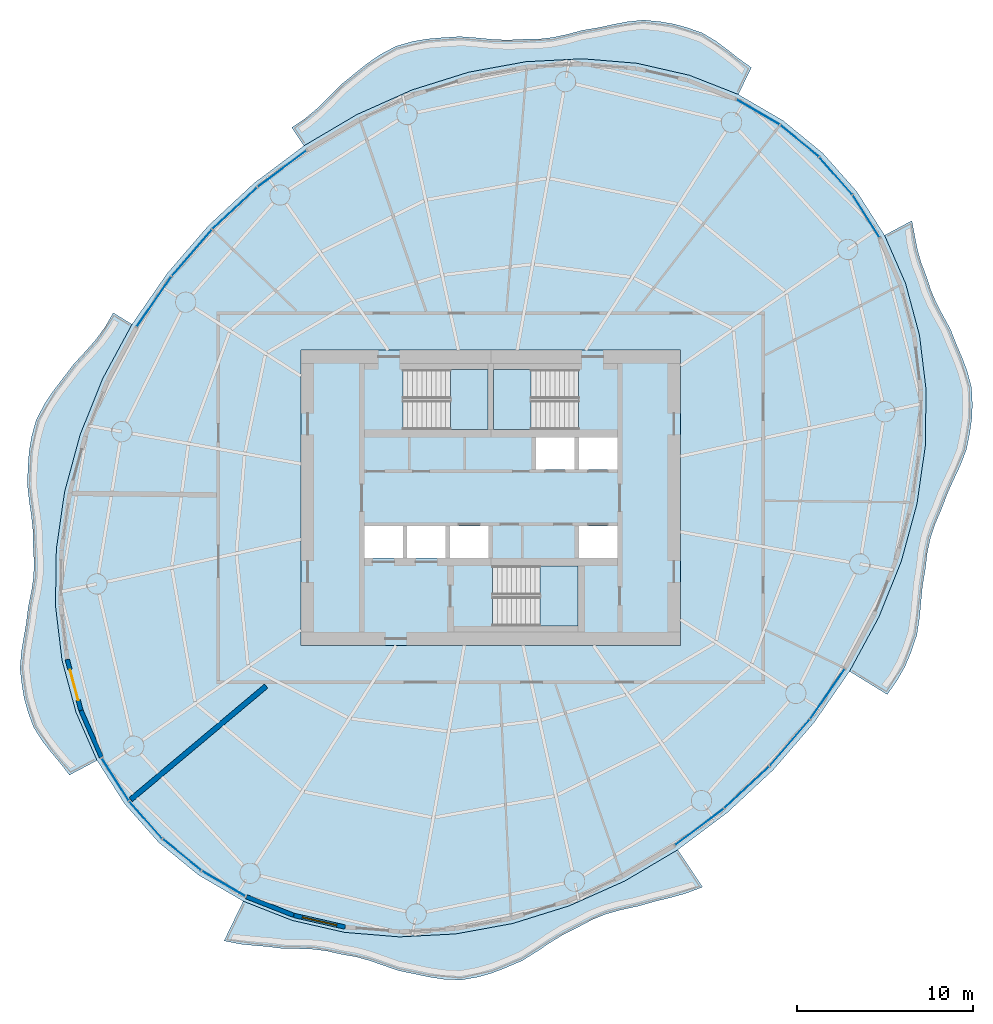
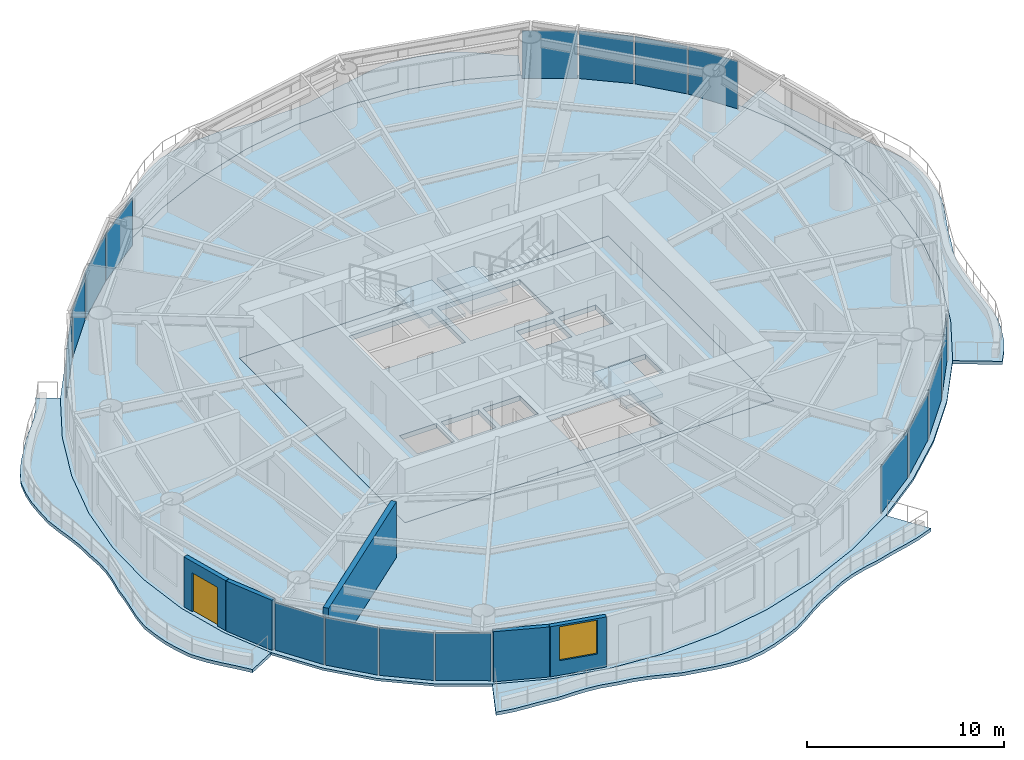
# One storey, part 7 of 14: 16 plates, 9 slabs, 5 walls, 1 door, 1 window, 2 openings, 19 elements without a shape of their own.
"""IFC4 building model written with IfcOpenShell, lengths in metres."""

from ifc_helpers import new_model, si_unit, direction, frame, frame_2d, origin, origin_2d, place, context, subcontext, project, spatial, polyline, rectangle, outline, extrude, material, layer, layer_set, type_object, element, fill, aggregate, save


model = new_model("IFC4")

# Units and contexts
model_context = context("Model", 3, precision=1e-05, world=origin(), true_north=direction((0.0, 1.0)))
body_context = subcontext(model_context, "Body", "Model", "MODEL_VIEW")
ifc_project = project(units=[si_unit("LENGTHUNIT", "METRE"), si_unit("AREAUNIT", "SQUARE_METRE"), si_unit("VOLUMEUNIT", "CUBIC_METRE"), si_unit("PLANEANGLEUNIT", "RADIAN"), si_unit("MASSUNIT", "GRAM", prefix="KILO")], contexts=[model_context])

# Site, building, storey
site_placement = place(None, origin())
site = spatial("IfcSite", under=ifc_project, at=site_placement, CompositionType="ELEMENT")
building_placement = place(site_placement, origin())
building = spatial("IfcBuilding", under=site, at=building_placement, Name="Vermilion Reach Broadcast Tower", CompositionType="ELEMENT")
storey_placement = place(building_placement, frame((0.0, 0.0, 217.300048828125)))
storey = spatial("IfcBuildingStorey", under=building, at=storey_placement, Name="L53", CompositionType="ELEMENT", Elevation=217.300048828125)

# Slabs
ifc_material_1 = material(Name="Concrete C40/50", Category="concrete")
ifc_layer_1 = layer(ifc_material_1, 0.199951171875)
ifc_layer_set_1 = layer_set([ifc_layer_1], Name="Balcony slab 200")
slab_type_1 = type_object("IfcSlabType", Name="Balcony slab 200", PredefinedType="FLOOR", material=ifc_layer_set_1)
placement_1 = place(storey_placement, frame((0.0, 0.0, -0.199951171875)))
element("IfcSlab", 1, at=placement_1, inside=storey, type_object=slab_type_1, Name="Balcony slab L53 group 1", PredefinedType="FLOOR", context=body_context, shape_type="SweptSolid", body=[
    extrude(outline(polyline([(8.088623046875, 22.9580078125), (5.302978515625, 24.05078125), (2.32373046875, 24.732177734375), (-0.7978515625, 24.990234375), (-4.008544921875, 24.820556640625), (-7.253173828125, 24.2265625), (-10.4765625, 23.2177734375), (-13.623046875, 21.811767578125), (-16.639404296875, 20.032470703125), (-17.33349609375, 21.074462890625), (-16.5478515625, 21.6005859375), (-15.868408203125, 22.171875), (-15.2255859375, 22.805419921875), (-14.509521484375, 23.52880859375), (-13.72900390625, 24.16064453125), (-13.0341796875, 24.7177734375), (-12.31298828125, 25.215576171875), (-11.414794921875, 25.697509765625), (-10.454345703125, 25.974365234375), (-9.614990234375, 26.118896484375), (-8.7529296875, 26.191162109375), (-7.754150390625, 26.254150390625), (-6.7724609375, 26.17919921875), (-5.918701171875, 26.095947265625), (-5.0732421875, 26.056884765625), (-4.158935546875, 26.10107421875), (-3.271728515625, 26.111572265625), (-2.4716796875, 26.20263671875), (-1.67578125, 26.372802734375), (-0.773681640625, 26.6123046875), (0.134521484375, 26.763916015625), (0.9345703125, 26.9365234375), (1.733154296875, 27.09375), (2.705322265625, 27.19580078125), (3.64892578125, 27.100341796875), (4.40380859375, 26.974365234375), (5.1416015625, 26.7734375), (6.0458984375, 26.458740234375), (6.857421875, 25.96533203125), (7.47900390625, 25.5009765625), (8.0927734375, 25.017333984375), (8.830322265625, 24.489013671875), (8.088623046875, 22.9580078125)])), origin(), (0.0, 0.0, 1.0), 0.199951171875),
])
element("IfcSlab", 2, at=placement_1, inside=storey, type_object=slab_type_1, Name="Balcony slab L53 group 2", PredefinedType="FLOOR", context=body_context, shape_type="SweptSolid", body=[
    extrude(outline(polyline([(-26.419189453125, 9.876708984375), (-28.08349609375, 6.795654296875), (-29.369873046875, 3.59814453125), (-30.25634765625, 0.339111328125), (-30.72802734375, -2.925537109375), (-30.7763671875, -6.140380859375), (-30.40087890625, -9.25), (-29.607666015625, -12.201416015625), (-28.410888671875, -14.94384765625), (-29.9794921875, -15.7783203125), (-30.541015625, -15.057373046875), (-31.043212890625, -14.460205078125), (-31.519287109375, -13.851806640625), (-32.027099609375, -13.049072265625), (-32.35302734375, -12.14794921875), (-32.556640625, -11.411376953125), (-32.686279296875, -10.6552734375), (-32.794921875, -9.713623046875), (-32.713134765625, -8.740478515625), (-32.578125, -7.935302734375), (-32.436767578125, -7.129638671875), (-32.328857421875, -6.221923828125), (-32.141845703125, -5.31591796875), (-32.026123046875, -4.513671875), (-31.99267578125, -3.71044921875), (-32.042724609375, -2.821044921875), (-32.056396484375, -1.900390625), (-32.144287109375, -1.0546875), (-32.267578125, -0.20361328125), (-32.376708984375, 0.779052734375), (-32.338623046875, 1.78076171875), (-32.278564453125, 2.639404296875), (-32.14013671875, 3.476806640625), (-31.871826171875, 4.4384765625), (-31.398681640625, 5.343017578125), (-30.907470703125, 6.07421875), (-30.3642578125, 6.784423828125), (-29.76123046875, 7.583251953125), (-29.07470703125, 8.325927734375), (-28.482177734375, 9.0009765625), (-27.95947265625, 9.713623046875), (-27.489501953125, 10.532958984375), (-26.419189453125, 9.876708984375)])), origin(), (0.0, 0.0, 1.0), 0.199951171875),
])
element("IfcSlab", 3, at=placement_1, inside=storey, type_object=slab_type_1, Name="Balcony slab L53 group 3", PredefinedType="FLOOR", context=body_context, shape_type="SweptSolid", body=[
    extrude(outline(polyline([(-20.088623046875, -22.9580078125), (-17.302978515625, -24.05078125), (-14.32373046875, -24.732177734375), (-11.2021484375, -24.990234375), (-7.991455078125, -24.820556640625), (-4.746826171875, -24.2265625), (-1.5234375, -23.2177734375), (1.623046875, -21.811767578125), (4.639404296875, -20.032470703125), (6.0546875, -22.156494140625), (5.08935546875, -22.5185546875), (4.2138671875, -22.757568359375), (3.3251953125, -22.973876953125), (2.3642578125, -23.2470703125), (1.412109375, -23.45166015625), (0.573974609375, -23.687744140625), (-0.2265625, -24.008544921875), (-1.05712890625, -24.449951171875), (-1.89208984375, -24.867431640625), (-2.6337890625, -25.323974609375), (-3.36474609375, -25.815185546875), (-4.222412109375, -26.34912109375), (-5.125732421875, -26.73583984375), (-5.907958984375, -27.041748046875), (-6.704345703125, -27.270751953125), (-7.683349609375, -27.443115234375), (-8.659912109375, -27.403564453125), (-9.47119140625, -27.28271484375), (-10.285400390625, -27.109375), (-11.230712890625, -26.9169921875), (-12.121826171875, -26.60986328125), (-12.885498046875, -26.34326171875), (-13.653564453125, -26.130126953125), (-14.516845703125, -25.97998046875), (-15.349365234375, -25.7900390625), (-16.111083984375, -25.694091796875), (-16.887939453125, -25.6640625), (-17.79833984375, -25.65673828125), (-18.69189453125, -25.54345703125), (-19.47119140625, -25.481201171875), (-20.24365234375, -25.402099609375), (-21.181640625, -25.214599609375), (-20.088623046875, -22.9580078125)])), origin(), (0.0, 0.0, 1.0), 0.199951171875),
])
element("IfcSlab", 4, at=placement_1, inside=storey, type_object=slab_type_1, Name="Balcony slab L53 group 4", PredefinedType="FLOOR", context=body_context, shape_type="SweptSolid", body=[
    extrude(outline(polyline([(14.419189453125, -9.876708984375), (16.08349609375, -6.795654296875), (17.369873046875, -3.59814453125), (18.25634765625, -0.339111328125), (18.72802734375, 2.925537109375), (18.7763671875, 6.140380859375), (18.40087890625, 9.25), (17.607666015625, 12.201416015625), (16.410888671875, 14.94384765625), (17.969970703125, 15.773193359375), (18.134765625, 14.880126953125), (18.283447265625, 14.128662109375), (18.486328125, 13.40087890625), (18.790771484375, 12.61572265625), (19.052490234375, 11.79833984375), (19.35986328125, 11.08984375), (19.7255859375, 10.39697265625), (20.1640625, 9.591552734375), (20.509033203125, 8.7158203125), (20.829833984375, 7.9658203125), (21.115234375, 7.21142578125), (21.3642578125, 6.2763671875), (21.41162109375, 5.296630859375), (21.376708984375, 4.493408203125), (21.259765625, 3.69140625), (21.071044921875, 2.739501953125), (20.705078125, 1.806884765625), (20.33984375, 1.0263671875), (19.985107421875, 0.244384765625), (19.65869140625, -0.630126953125), (19.28515625, -1.494140625), (19.019287109375, -2.296875), (18.84423828125, -3.124267578125), (18.7314453125, -4.055419921875), (18.572998046875, -5.010986328125), (18.48583984375, -5.904541015625), (18.4052734375, -6.801025390625), (18.248046875, -7.8115234375), (17.91943359375, -8.7822265625), (17.57763671875, -9.5927734375), (17.14794921875, -10.35546875), (16.56640625, -11.193359375), (14.419189453125, -9.876708984375)])), origin(), (0.0, 0.0, 1.0), 0.199951171875),
])
ifc_material_2 = material(Name="Concrete C40", Category="concrete")
ifc_layer_2 = layer(ifc_material_2, 0.300048828125)
ifc_layer_set_2 = layer_set([ifc_layer_2], Name="Core floor slab 300 mm Concrete C40")
slab_type_2 = type_object("IfcSlabType", Name="Core floor slab 300 mm Concrete C40", PredefinedType="FLOOR", material=ifc_layer_set_2)
slab_5_placement = place(storey_placement, frame((0.0, 0.0, -0.300048828125)))
element("IfcSlab", 5, at=slab_5_placement, inside=storey, type_object=slab_type_2, Name="L53 core floor", PredefinedType="FLOOR", context=body_context, shape_type="SweptSolid", body=[
    extrude(outline(polyline([(-16.800048828125, -8.39990234375), (4.800048828125, -8.39990234375), (4.800048828125, 8.39990234375), (-16.800048828125, 8.39990234375), (-16.800048828125, -8.39990234375)]), holes=[polyline([(-3.433349609375, 1.60009765625), (-1.24169921875, 1.60009765625), (-1.24169921875, 3.429931640625), (-3.433349609375, 3.429931640625), (-3.433349609375, 1.60009765625)]), polyline([(-0.99169921875, 1.60009765625), (1.199951171875, 1.60009765625), (1.199951171875, 3.429931640625), (-0.99169921875, 3.429931640625), (-0.99169921875, 1.60009765625)]), polyline([(-13.199951171875, -3.429931640625), (-11.00830078125, -3.429931640625), (-11.00830078125, -1.60009765625), (-13.199951171875, -1.60009765625), (-13.199951171875, -3.429931640625)]), polyline([(-10.75830078125, -3.429931640625), (-8.566650390625, -3.429931640625), (-8.566650390625, -1.60009765625), (-10.75830078125, -1.60009765625), (-10.75830078125, -3.429931640625)]), polyline([(-8.316650390625, -3.429931640625), (-6.125, -3.429931640625), (-6.125, -1.60009765625), (-8.316650390625, -1.60009765625), (-8.316650390625, -3.429931640625)]), polyline([(-0.99169921875, -3.429931640625), (1.199951171875, -3.429931640625), (1.199951171875, -1.60009765625), (-0.99169921875, -1.60009765625), (-0.99169921875, -3.429931640625)]), polyline([(-10.999267578125, 3.8798828125), (-6.14990234375, 3.8798828125), (-6.14990234375, 7.300048828125), (-10.999267578125, 7.300048828125), (-10.999267578125, 3.8798828125)]), polyline([(-1.000732421875, 7.300048828125), (-5.85009765625, 7.300048828125), (-5.85009765625, 3.8798828125), (-1.000732421875, 3.8798828125), (-1.000732421875, 7.300048828125)]), polyline([(-5.8994140625, -7.300048828125), (-1.050048828125, -7.300048828125), (-1.050048828125, -3.8798828125), (-5.8994140625, -3.8798828125), (-5.8994140625, -7.300048828125)])]), origin(), (0.0, 0.0, 1.0), 0.300048828125),
])

# Stair, slab
ifc_material_3 = material(Name="Concrete C40", Category="concrete")
stair_type = type_object("IfcStairType", Name="Exit stair RC 22 risers 164 mm", PredefinedType="HALF_TURN_STAIR", material=ifc_material_3)
placement_2 = place(storey_placement, origin())
stair_1 = element("IfcStair", 6, at=placement_2, inside=storey, type_object=stair_type, Name="L53 Exit stair ST1", PredefinedType="HALF_TURN_STAIR")
ifc_material_4 = material(Name="Concrete C40", Category="concrete")
ifc_layer_3 = layer(ifc_material_4, 0.199951171875)
ifc_layer_set_3 = layer_set([ifc_layer_3], Name="Exit stair landing Concrete C40")
slab_type_3 = type_object("IfcSlabType", Name="Exit stair landing Concrete C40", PredefinedType="LANDING", material=ifc_layer_set_3)
placement_3 = place(storey_placement, frame((0.0, 0.0, 1.599853515625)))
slab_6 = element("IfcSlab", 7, at=placement_3, type_object=slab_type_3, Name="ST1 landing 1", PredefinedType="LANDING", context=body_context, shape_type="SweptSolid", body=[
    extrude(outline(polyline([(-8.300048828125, 3.8798828125), (-6.14990234375, 3.8798828125), (-6.14990234375, 7.300048828125), (-8.300048828125, 7.300048828125), (-8.300048828125, 3.8798828125)])), origin(), (0.0, 0.0, 1.0), 0.2001953125),
])
aggregate(stair_1, [slab_6])

stair_2 = element("IfcStair", 8, at=placement_2, inside=storey, type_object=stair_type, Name="L53 Exit stair ST2", PredefinedType="HALF_TURN_STAIR")
slab_7 = element("IfcSlab", 9, at=placement_3, type_object=slab_type_3, Name="ST2 landing 1", PredefinedType="LANDING", context=body_context, shape_type="SweptSolid", body=[
    extrude(outline(polyline([(-3.699951171875, 7.300048828125), (-5.85009765625, 7.300048828125), (-5.85009765625, 3.8798828125), (-3.699951171875, 3.8798828125), (-3.699951171875, 7.300048828125)])), origin(), (0.0, 0.0, 1.0), 0.2001953125),
])
aggregate(stair_2, [slab_7])

stair_3 = element("IfcStair", 10, at=placement_2, inside=storey, type_object=stair_type, Name="L53 Exit stair ST3", PredefinedType="HALF_TURN_STAIR")
slab_8 = element("IfcSlab", 11, at=placement_3, type_object=slab_type_3, Name="ST3 landing 1", PredefinedType="LANDING", context=body_context, shape_type="SweptSolid", body=[
    extrude(outline(polyline([(-3.199951171875, -7.300048828125), (-1.050048828125, -7.300048828125), (-1.050048828125, -3.8798828125), (-3.199951171875, -3.8798828125), (-3.199951171875, -7.300048828125)])), origin(), (0.0, 0.0, 1.0), 0.2001953125),
])
aggregate(stair_3, [slab_8])

# Slab
ifc_material_5 = material(Name="Concrete C40", Category="concrete")
ifc_layer_4 = layer(ifc_material_5, 0.14990234375)
ifc_layer_set_4 = layer_set([ifc_layer_4], Name="Floor slab Concrete C40 composite 150")
slab_type_4 = type_object("IfcSlabType", Name="Floor slab Concrete C40 composite 150", PredefinedType="FLOOR", material=ifc_layer_set_4)
slab_9_placement = place(storey_placement, frame((0.0, 0.0, -0.150146484375)))
element("IfcSlab", 12, at=slab_9_placement, inside=storey, type_object=slab_type_4, Name="Floor slab L53", PredefinedType="FLOOR", context=body_context, shape_type="SweptSolid", body=[
    extrude(outline(polyline([(12.8935546875, 19.61962890625), (10.63330078125, 21.472412109375), (8.088623046875, 22.9580078125), (5.302978515625, 24.05078125), (2.32373046875, 24.732177734375), (-0.7978515625, 24.990234375), (-4.008544921875, 24.820556640625), (-7.253173828125, 24.2265625), (-10.4765625, 23.2177734375), (-13.623046875, 21.811767578125), (-16.639404296875, 20.032470703125), (-19.473388671875, 17.91064453125), (-22.0771484375, 15.482177734375), (-24.40576171875, 12.788818359375), (-26.419189453125, 9.876708984375), (-28.08349609375, 6.795654296875), (-29.369873046875, 3.59814453125), (-30.25634765625, 0.339111328125), (-30.72802734375, -2.925537109375), (-30.7763671875, -6.140380859375), (-30.40087890625, -9.25), (-29.607666015625, -12.201416015625), (-28.410888671875, -14.94384765625), (-26.830322265625, -17.430908203125), (-24.8935546875, -19.61962890625), (-22.63330078125, -21.472412109375), (-20.088623046875, -22.9580078125), (-17.302978515625, -24.05078125), (-14.32373046875, -24.732177734375), (-11.2021484375, -24.990234375), (-7.991455078125, -24.820556640625), (-4.746826171875, -24.2265625), (-1.5234375, -23.2177734375), (1.623046875, -21.811767578125), (4.639404296875, -20.032470703125), (7.473388671875, -17.91064453125), (10.0771484375, -15.482177734375), (12.40576171875, -12.788818359375), (14.419189453125, -9.876708984375), (16.08349609375, -6.795654296875), (17.369873046875, -3.59814453125), (18.25634765625, -0.339111328125), (18.72802734375, 2.925537109375), (18.7763671875, 6.140380859375), (18.40087890625, 9.25), (17.607666015625, 12.201416015625), (16.410888671875, 14.94384765625), (14.830322265625, 17.430908203125), (12.8935546875, 19.61962890625)]), holes=[polyline([(-16.800048828125, -8.39990234375), (4.800048828125, -8.39990234375), (4.800048828125, 8.39990234375), (-16.800048828125, 8.39990234375), (-16.800048828125, -8.39990234375)])]), origin(), (0.0, 0.0, 1.0), 0.150146484375),
])

# Curtain wall, plate
ifc_material_6 = material(Name="Low-e laminated clear glass in aluminium frame", Category="aluminium")
curtain_wall_type = type_object("IfcCurtainWallType", Name="Slot curtain wall", PredefinedType="NOTDEFINED", material=ifc_material_6)
curtain_wall_1 = element("IfcCurtainWall", 13, at=placement_2, inside=storey, type_object=curtain_wall_type, Name="Slot curtain wall L53 46", PredefinedType="NOTDEFINED")
ifc_material_7 = material(Name="Low-e laminated clear glass", Category="glass")
ifc_layer_5 = layer(ifc_material_7, 0.028076171875)
ifc_layer_set_5 = layer_set([ifc_layer_5], Name="Slot glass panel")
plate_type = type_object("IfcPlateType", Name="Slot glass panel", PredefinedType="CURTAIN_PANEL", material=ifc_layer_set_5)
plate_1_placement = place(storey_placement, frame((15.3681640625, 16.02685546875, 0.0), z_axis=(0.0, 0.0, 1.0), x_axis=(-0.536349108633, 0.843996228468, 0.0)))
plate_1 = element("IfcPlate", 14, at=plate_1_placement, type_object=plate_type, Name="Slot glass panel L53 46", PredefinedType="CURTAIN_PANEL", context=body_context, shape_type="SweptSolid", body=[
    extrude(rectangle(XDim=2.819580078125, YDim=0.028076171875, at=origin_2d()), origin(), (0.0, 0.0, 1.0), 2.949951171875),
])
aggregate(curtain_wall_1, [plate_1])

curtain_wall_2 = element("IfcCurtainWall", 15, at=placement_2, inside=storey, type_object=curtain_wall_type, Name="Slot curtain wall L53 47", PredefinedType="NOTDEFINED")
plate_2_placement = place(storey_placement, frame((13.637939453125, 18.326904296875, 0.0), z_axis=(0.0, 0.0, 1.0), x_axis=(-0.662708538743, 0.748877421663, 0.0)))
plate_2 = element("IfcPlate", 16, at=plate_2_placement, type_object=plate_type, Name="Slot glass panel L53 47", PredefinedType="CURTAIN_PANEL", context=body_context, shape_type="SweptSolid", body=[
    extrude(rectangle(XDim=2.794921875, YDim=0.028076171875, at=origin_2d()), origin(), (0.0, 0.0, 1.0), 2.949951171875),
])
aggregate(curtain_wall_2, [plate_2])

curtain_wall_3 = element("IfcCurtainWall", 17, at=placement_2, inside=storey, type_object=curtain_wall_type, Name="Slot curtain wall L53 00", PredefinedType="NOTDEFINED")
plate_3_placement = place(storey_placement, frame((11.57373046875, 20.314697265625, 0.0), z_axis=(0.0, 0.0, 1.0), x_axis=(-0.773322971078, 0.634012288842, 0.0)))
plate_3 = element("IfcPlate", 18, at=plate_3_placement, type_object=plate_type, Name="Slot glass panel L53 00", PredefinedType="CURTAIN_PANEL", context=body_context, shape_type="SweptSolid", body=[
    extrude(rectangle(XDim=2.794921875, YDim=0.028076171875, at=origin_2d()), origin(), (0.0, 0.0, 1.0), 2.949951171875),
])
aggregate(curtain_wall_3, [plate_3])

curtain_wall_4 = element("IfcCurtainWall", 19, at=placement_2, inside=storey, type_object=curtain_wall_type, Name="Slot curtain wall L53 01", PredefinedType="NOTDEFINED")
plate_4_placement = place(storey_placement, frame((9.210205078125, 21.95703125, 0.0), z_axis=(0.0, 0.0, 1.0), x_axis=(-0.863611618468, 0.504157686093, 0.0)))
plate_4 = element("IfcPlate", 20, at=plate_4_placement, type_object=plate_type, Name="Slot glass panel L53 01", PredefinedType="CURTAIN_PANEL", context=body_context, shape_type="SweptSolid", body=[
    extrude(rectangle(XDim=2.819580078125, YDim=0.028076171875, at=origin_2d()), origin(), (0.0, 0.0, 1.0), 2.949951171875),
])
aggregate(curtain_wall_4, [plate_4])

curtain_wall_5 = element("IfcCurtainWall", 21, at=placement_2, inside=storey, type_object=curtain_wall_type, Name="Slot curtain wall L53 10", PredefinedType="NOTDEFINED")
plate_5_placement = place(storey_placement, frame((-17.876953125, 18.731689453125, 0.0), z_axis=(0.0, 0.0, 1.0), x_axis=(-0.800496566081, -0.59933734048, 0.0)))
plate_5 = element("IfcPlate", 22, at=plate_5_placement, type_object=plate_type, Name="Slot glass panel L53 10", PredefinedType="CURTAIN_PANEL", context=body_context, shape_type="SweptSolid", body=[
    extrude(rectangle(XDim=3.427978515625, YDim=0.028076171875, at=origin_2d()), origin(), (0.0, 0.0, 1.0), 2.949951171875),
])
aggregate(curtain_wall_5, [plate_5])

curtain_wall_6 = element("IfcCurtainWall", 23, at=placement_2, inside=storey, type_object=curtain_wall_type, Name="Slot curtain wall L53 11", PredefinedType="NOTDEFINED")
plate_6_placement = place(storey_placement, frame((-20.571044921875, 16.477294921875, 0.0), z_axis=(0.0, 0.0, 1.0), x_axis=(-0.731286008372, -0.682070944961, 0.0)))
plate_6 = element("IfcPlate", 24, at=plate_6_placement, type_object=plate_type, Name="Slot glass panel L53 11", PredefinedType="CURTAIN_PANEL", context=body_context, shape_type="SweptSolid", body=[
    extrude(rectangle(XDim=3.4482421875, YDim=0.028076171875, at=origin_2d()), origin(), (0.0, 0.0, 1.0), 2.949951171875),
])
aggregate(curtain_wall_6, [plate_6])

curtain_wall_7 = element("IfcCurtainWall", 25, at=placement_2, inside=storey, type_object=curtain_wall_type, Name="Slot curtain wall L53 12", PredefinedType="NOTDEFINED")
plate_7_placement = place(storey_placement, frame((-23.0146484375, 13.939697265625, 0.0), z_axis=(0.0, 0.0, 1.0), x_axis=(-0.654024153942, -0.756473665147, 0.0)))
plate_7 = element("IfcPlate", 26, at=plate_7_placement, type_object=plate_type, Name="Slot glass panel L53 12", PredefinedType="CURTAIN_PANEL", context=body_context, shape_type="SweptSolid", body=[
    extrude(rectangle(XDim=3.4482421875, YDim=0.028076171875, at=origin_2d()), origin(), (0.0, 0.0, 1.0), 2.949951171875),
])
aggregate(curtain_wall_7, [plate_7])

curtain_wall_8 = element("IfcCurtainWall", 27, at=placement_2, inside=storey, type_object=curtain_wall_type, Name="Slot curtain wall L53 13", PredefinedType="NOTDEFINED")
plate_8_placement = place(storey_placement, frame((-25.166015625, 11.162353515625, 0.0), z_axis=(0.0, 0.0, 1.0), x_axis=(-0.568740556972, -0.822516977853, 0.0)))
plate_8 = element("IfcPlate", 28, at=plate_8_placement, type_object=plate_type, Name="Slot glass panel L53 13", PredefinedType="CURTAIN_PANEL", context=body_context, shape_type="SweptSolid", body=[
    extrude(rectangle(XDim=3.427978515625, YDim=0.028076171875, at=origin_2d()), origin(), (0.0, 0.0, 1.0), 2.949951171875),
])
aggregate(curtain_wall_8, [plate_8])

curtain_wall_9 = element("IfcCurtainWall", 29, at=placement_2, inside=storey, type_object=curtain_wall_type, Name="Slot curtain wall L53 22", PredefinedType="NOTDEFINED")
plate_9_placement = place(storey_placement, frame((-27.3681640625, -16.02685546875, 0.0), z_axis=(0.0, 0.0, 1.0), x_axis=(0.536349108633, -0.843996228468, 0.0)))
plate_9 = element("IfcPlate", 30, at=plate_9_placement, type_object=plate_type, Name="Slot glass panel L53 22", PredefinedType="CURTAIN_PANEL", context=body_context, shape_type="SweptSolid", body=[
    extrude(rectangle(XDim=2.819580078125, YDim=0.028076171875, at=origin_2d()), origin(), (0.0, 0.0, 1.0), 2.949951171875),
])
aggregate(curtain_wall_9, [plate_9])

curtain_wall_10 = element("IfcCurtainWall", 31, at=placement_2, inside=storey, type_object=curtain_wall_type, Name="Slot curtain wall L53 23", PredefinedType="NOTDEFINED")
plate_10_placement = place(storey_placement, frame((-25.637939453125, -18.326904296875, 0.0), z_axis=(0.0, 0.0, 1.0), x_axis=(0.662708538743, -0.748877421663, 0.0)))
plate_10 = element("IfcPlate", 32, at=plate_10_placement, type_object=plate_type, Name="Slot glass panel L53 23", PredefinedType="CURTAIN_PANEL", context=body_context, shape_type="SweptSolid", body=[
    extrude(rectangle(XDim=2.794921875, YDim=0.028076171875, at=origin_2d()), origin(), (0.0, 0.0, 1.0), 2.949951171875),
])
aggregate(curtain_wall_10, [plate_10])

curtain_wall_11 = element("IfcCurtainWall", 33, at=placement_2, inside=storey, type_object=curtain_wall_type, Name="Slot curtain wall L53 24", PredefinedType="NOTDEFINED")
plate_11_placement = place(storey_placement, frame((-23.57373046875, -20.314697265625, 0.0), z_axis=(0.0, 0.0, 1.0), x_axis=(0.773322971078, -0.634012288842, 0.0)))
plate_11 = element("IfcPlate", 34, at=plate_11_placement, type_object=plate_type, Name="Slot glass panel L53 24", PredefinedType="CURTAIN_PANEL", context=body_context, shape_type="SweptSolid", body=[
    extrude(rectangle(XDim=2.794921875, YDim=0.028076171875, at=origin_2d()), origin(), (0.0, 0.0, 1.0), 2.949951171875),
])
aggregate(curtain_wall_11, [plate_11])

curtain_wall_12 = element("IfcCurtainWall", 35, at=placement_2, inside=storey, type_object=curtain_wall_type, Name="Slot curtain wall L53 25", PredefinedType="NOTDEFINED")
plate_12_placement = place(storey_placement, frame((-21.210205078125, -21.95703125, 0.0), z_axis=(0.0, 0.0, 1.0), x_axis=(0.863611618468, -0.504157686093, 0.0)))
plate_12 = element("IfcPlate", 36, at=plate_12_placement, type_object=plate_type, Name="Slot glass panel L53 25", PredefinedType="CURTAIN_PANEL", context=body_context, shape_type="SweptSolid", body=[
    extrude(rectangle(XDim=2.819580078125, YDim=0.028076171875, at=origin_2d()), origin(), (0.0, 0.0, 1.0), 2.949951171875),
])
aggregate(curtain_wall_12, [plate_12])

curtain_wall_13 = element("IfcCurtainWall", 37, at=placement_2, inside=storey, type_object=curtain_wall_type, Name="Slot curtain wall L53 34", PredefinedType="NOTDEFINED")
plate_13_placement = place(storey_placement, frame((5.876953125, -18.731689453125, 0.0), z_axis=(0.0, 0.0, 1.0), x_axis=(0.800496566081, 0.59933734048, 0.0)))
plate_13 = element("IfcPlate", 38, at=plate_13_placement, type_object=plate_type, Name="Slot glass panel L53 34", PredefinedType="CURTAIN_PANEL", context=body_context, shape_type="SweptSolid", body=[
    extrude(rectangle(XDim=3.427978515625, YDim=0.028076171875, at=origin_2d()), origin(), (0.0, 0.0, 1.0), 2.949951171875),
])
aggregate(curtain_wall_13, [plate_13])

curtain_wall_14 = element("IfcCurtainWall", 39, at=placement_2, inside=storey, type_object=curtain_wall_type, Name="Slot curtain wall L53 35", PredefinedType="NOTDEFINED")
plate_14_placement = place(storey_placement, frame((8.571044921875, -16.477294921875, 0.0), z_axis=(0.0, 0.0, 1.0), x_axis=(0.731286008372, 0.682070944961, 0.0)))
plate_14 = element("IfcPlate", 40, at=plate_14_placement, type_object=plate_type, Name="Slot glass panel L53 35", PredefinedType="CURTAIN_PANEL", context=body_context, shape_type="SweptSolid", body=[
    extrude(rectangle(XDim=3.4482421875, YDim=0.028076171875, at=origin_2d()), origin(), (0.0, 0.0, 1.0), 2.949951171875),
])
aggregate(curtain_wall_14, [plate_14])

curtain_wall_15 = element("IfcCurtainWall", 41, at=placement_2, inside=storey, type_object=curtain_wall_type, Name="Slot curtain wall L53 36", PredefinedType="NOTDEFINED")
plate_15_placement = place(storey_placement, frame((11.0146484375, -13.939697265625, 0.0), z_axis=(0.0, 0.0, 1.0), x_axis=(0.654024153942, 0.756473665147, 0.0)))
plate_15 = element("IfcPlate", 42, at=plate_15_placement, type_object=plate_type, Name="Slot glass panel L53 36", PredefinedType="CURTAIN_PANEL", context=body_context, shape_type="SweptSolid", body=[
    extrude(rectangle(XDim=3.4482421875, YDim=0.028076171875, at=origin_2d()), origin(), (0.0, 0.0, 1.0), 2.949951171875),
])
aggregate(curtain_wall_15, [plate_15])

curtain_wall_16 = element("IfcCurtainWall", 43, at=placement_2, inside=storey, type_object=curtain_wall_type, Name="Slot curtain wall L53 37", PredefinedType="NOTDEFINED")
plate_16_placement = place(storey_placement, frame((13.166015625, -11.162353515625, 0.0), z_axis=(0.0, 0.0, 1.0), x_axis=(0.568740556972, 0.822516977853, 0.0)))
plate_16 = element("IfcPlate", 44, at=plate_16_placement, type_object=plate_type, Name="Slot glass panel L53 37", PredefinedType="CURTAIN_PANEL", context=body_context, shape_type="SweptSolid", body=[
    extrude(rectangle(XDim=3.427978515625, YDim=0.028076171875, at=origin_2d()), origin(), (0.0, 0.0, 1.0), 2.949951171875),
])
aggregate(curtain_wall_16, [plate_16])

# Wall
ifc_material_8 = material(Name="Double-leaf plasterboard on isolated steel stud", Category="steel")
ifc_layer_6 = layer(ifc_material_8, 0.300048828125)
ifc_layer_set_6 = layer_set([ifc_layer_6], Name="Partition 300 acoustic double leaf")
wall_type_1 = type_object("IfcWallType", Name="Partition 300 acoustic double leaf", PredefinedType="PARTITIONING", material=ifc_layer_set_6)
wall_1_placement = place(storey_placement, frame((-26.49072265625, -17.17529296875, 0.0), z_axis=(0.0, 0.0, 1.0), x_axis=(0.766383519692, 0.642383297374, 0.0)))
element("IfcWall", 45, at=wall_1_placement, inside=storey, type_object=wall_type_1, Name="Partition 53.06", PredefinedType="PARTITIONING", context=body_context, shape_type="SweptSolid", body=[
    extrude(rectangle(XDim=10.056884765625, YDim=0.300048828125, at=frame_2d((5.0283203125, 0.0))), origin(), (0.0, 0.0, 1.0), 3.449951171875),
])

# Wall, opening, door
ifc_material_9 = material(Name="Terracotta rainscreen cladding", Category="masonry")
ifc_layer_7 = layer(ifc_material_9, 0.25)
ifc_layer_set_7 = layer_set([ifc_layer_7], Name="Terracotta rainscreen wall 250")
wall_type_2 = type_object("IfcWallType", Name="Terracotta rainscreen wall 250", PredefinedType="SOLIDWALL", material=ifc_layer_set_7)
wall_2_placement = place(storey_placement, frame((-30.102783203125, -9.20556640625, 0.0), z_axis=(0.0, 0.0, 1.0), x_axis=(0.25942805707, -0.965762436215, 0.0)))
wall_2 = element("IfcWall", 46, at=wall_2_placement, inside=storey, type_object=wall_type_2, Name="External wall L53 20", PredefinedType="SOLIDWALL", context=body_context, shape_type="SweptSolid", body=[
    extrude(rectangle(XDim=2.986083984375, YDim=0.25, at=frame_2d((1.4931640625, 0.0))), origin(), (0.0, 0.0, 1.0), 3.099853515625),
])
opening_1_placement = place(wall_2_placement, frame((0.593017578125, 0.0, 0.0)))
opening_1 = element("IfcOpeningElement", 47, at=opening_1_placement, cuts=wall_2, Name="Opening D70", PredefinedType="OPENING", context=body_context, shape_type="SweptSolid", body=[
    extrude(rectangle(XDim=1.800048828125, YDim=2.39990234375, at=frame_2d((0.89990234375, 1.199951171875))), frame((0.0, 0.135009765625, 0.0), z_axis=(0.0, -1.0, 0.0), x_axis=(1.0, 0.0, 0.0)), (0.0, 0.0, 1.0), 0.27001953125),
])
ifc_material_10 = material(Name="Low-e laminated clear glass in aluminium frame", Category="aluminium")
door_type = type_object("IfcDoorType", Name="Balcony sliding door 1800 x 2400", OperationType="DOUBLE_DOOR_SLIDING", PredefinedType="DOOR", material=ifc_material_10)
door_placement = place(opening_1_placement, origin())
door = element("IfcDoor", 48, at=door_placement, inside=storey, type_object=door_type, Name="Balcony door L53 run 05", OperationType="DOUBLE_DOOR_SLIDING", OverallHeight=2.39990234375, OverallWidth=1.800048828125, PredefinedType="DOOR", context=body_context, shape_type="SweptSolid", body=[
    extrude(rectangle(XDim=1.800048828125, YDim=2.39990234375, at=frame_2d((0.89990234375, 1.199951171875))), frame((0.0, 0.02490234375, 0.0), z_axis=(0.0, -1.0, 0.0), x_axis=(1.0, 0.0, 0.0)), (0.0, 0.0, 1.0), 0.050048828125),
])
fill(opening_1, door)

# Walls
wall_3_placement = place(storey_placement, frame((-29.3193359375, -12.114501953125, 0.0), z_axis=(0.0, 0.0, 1.0), x_axis=(0.40003123877, -0.91650150464, 0.0)))
element("IfcWall", 49, at=wall_3_placement, inside=storey, type_object=wall_type_2, Name="External wall L53 21", PredefinedType="SOLIDWALL", context=body_context, shape_type="SweptSolid", body=[
    extrude(rectangle(XDim=2.87890625, YDim=0.25, at=frame_2d((1.439453125, 0.0))), origin(), (0.0, 0.0, 1.0), 3.099853515625),
])
wall_4_placement = place(storey_placement, frame((-19.90673828125, -22.7080078125, 0.0), z_axis=(0.0, 0.0, 1.0), x_axis=(0.930924579426, -0.365211483146, 0.0)))
element("IfcWall", 50, at=wall_4_placement, inside=storey, type_object=wall_type_2, Name="External wall L53 26", PredefinedType="SOLIDWALL", context=body_context, shape_type="SweptSolid", body=[
    extrude(rectangle(XDim=2.87841796875, YDim=0.25, at=frame_2d((1.439208984375, 0.0))), origin(), (0.0, 0.0, 1.0), 3.099853515625),
])

# Wall, opening, window
wall_5_placement = place(storey_placement, frame((-17.20166015625, -23.76708984375, 0.0), z_axis=(0.0, 0.0, 1.0), x_axis=(0.974849372508, -0.222864759263, 0.0)))
wall_5 = element("IfcWall", 51, at=wall_5_placement, inside=storey, type_object=wall_type_2, Name="External wall L53 27", PredefinedType="SOLIDWALL", context=body_context, shape_type="SweptSolid", body=[
    extrude(rectangle(XDim=2.986328125, YDim=0.25, at=frame_2d((1.4931640625, 0.0))), origin(), (0.0, 0.0, 1.0), 3.099853515625),
])
opening_2_placement = place(wall_5_placement, frame((0.4931640625, 0.0, 0.89990234375)))
opening_2 = element("IfcOpeningElement", 52, at=opening_2_placement, cuts=wall_5, Name="Opening W03", PredefinedType="OPENING", context=body_context, shape_type="SweptSolid", body=[
    extrude(rectangle(XDim=2.0, YDim=2.10009765625, at=frame_2d((1.0, 1.050048828125))), frame((0.0, 0.135009765625, 0.0), z_axis=(0.0, -1.0, 0.0), x_axis=(1.0, 0.0, 0.0)), (0.0, 0.0, 1.0), 0.27001953125),
])
ifc_material_11 = material(Name="Low-e laminated clear glass in aluminium frame", Category="aluminium")
window_type = type_object("IfcWindowType", Name="Punched window 2000 x 2100 sill 900", PartitioningType="SINGLE_PANEL", PredefinedType="WINDOW", material=ifc_material_11)
window_placement = place(opening_2_placement, origin())
window = element("IfcWindow", 53, at=window_placement, inside=storey, type_object=window_type, Name="Window L53 27", OverallHeight=2.10009765625, OverallWidth=2.0, PartitioningType="SINGLE_PANEL", PredefinedType="WINDOW", context=body_context, shape_type="SweptSolid", body=[
    extrude(rectangle(XDim=2.0, YDim=2.10009765625, at=frame_2d((1.0, 1.050048828125))), frame((0.0, 0.030029296875, 0.0), z_axis=(0.0, -1.0, 0.0), x_axis=(1.0, 0.0, 0.0)), (0.0, 0.0, 1.0), 0.06005859375),
])
fill(opening_2, window)

save(model, "model.ifc")
